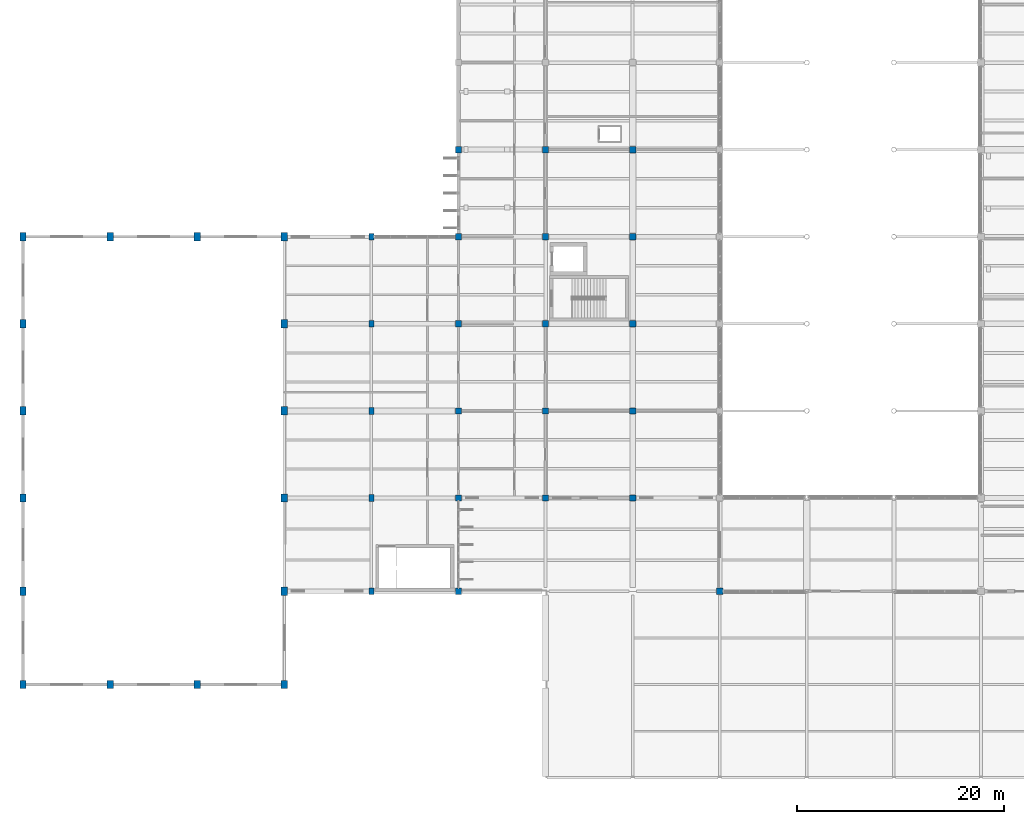
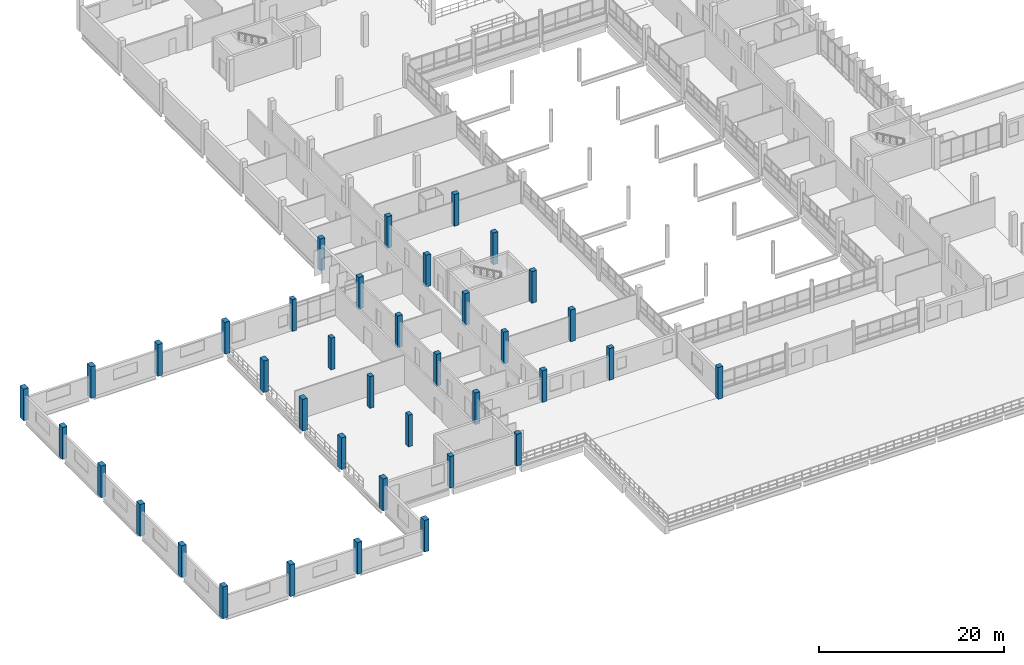
# One storey, part 1 of 101: 38 columns.
"""IFC4 building model written with IfcOpenShell, lengths in metres."""

from ifc_helpers import new_model, si_unit, direction, frame, origin, origin_2d, place, context, subcontext, project, spatial, rectangle, extrude, material, material_profile, profile_set, type_object, element, save


model = new_model("IFC4")

# Units and contexts
model_context = context("Model", 3, precision=1e-05, world=origin(), true_north=direction((0.0, 1.0)))
body_context = subcontext(model_context, "Body", "Model", "MODEL_VIEW")
ifc_project = project(units=[si_unit("LENGTHUNIT", "METRE"), si_unit("AREAUNIT", "SQUARE_METRE"), si_unit("VOLUMEUNIT", "CUBIC_METRE"), si_unit("PLANEANGLEUNIT", "RADIAN"), si_unit("MASSUNIT", "GRAM", prefix="KILO")], contexts=[model_context])

# Site, building, storey
site_placement = place(None, origin())
site = spatial("IfcSite", under=ifc_project, at=site_placement, CompositionType="ELEMENT")
building_placement = place(site_placement, origin())
building = spatial("IfcBuilding", under=site, at=building_placement, Name="Vireocrest Preparatory School", CompositionType="ELEMENT")
storey_placement = place(building_placement, frame((0.0, 0.0, 4.800048828125)))
storey = spatial("IfcBuildingStorey", under=building, at=storey_placement, Name="L01", CompositionType="ELEMENT", Elevation=4.800048828125)

# Columns
ifc_material = material(Name="Concrete 45 MPa", Category="concrete")
ifc_material_profile_1 = material_profile(ifc_material, rectangle(XDim=0.60009765625, YDim=0.60009765625, at=origin_2d()), Name="RC 600x600")
ifc_profile_set_1 = profile_set([ifc_material_profile_1], Name="Concrete 45 MPa")
column_type_1 = type_object("IfcColumnType", Name="RC Column 600x600", PredefinedType="COLUMN", material=ifc_profile_set_1)
for number, where, z_axis, x_axis, name in (
    (1, (42.0, 18.0, 0.0), (0.0, 0.0, 1.0), (1.0, 0.0, 0.0), "Column C05 L01 6/C"),
    (2, (42.0, 27.0, 0.0), (0.0, 0.0, 1.0), (1.0, 0.0, 0.0), "Column C05 L01 6/D"),
    (3, (42.0, 35.39990234375, 0.0), (0.0, 0.0, 1.0), (1.0, 0.0, 0.0), "Column C05 L01 6/E"),
    (4, (42.0, 43.800048828125, 0.0), (0.0, 0.0, 1.0), (1.0, 0.0, 0.0), "Column C05 L01 6/F"),
    (5, (42.0, 52.199951171875, 0.0), (0.0, 0.0, 1.0), (1.0, 0.0, 0.0), "Column C05 L01 6/G"),
    (6, (42.0, 60.60009765625, 0.0), (0.0, 0.0, 1.0), (1.0, 0.0, 0.0), "Column C05 L01 6/H"),
    (7, (50.39990234375, 27.0, 0.0), (0.0, 0.0, 1.0), (1.0, 0.0, 0.0), "Column C05 L01 7/D"),
    (8, (50.39990234375, 35.39990234375, 0.0), (0.0, 0.0, 1.0), (1.0, 0.0, 0.0), "Column C05 L01 7/E"),
    (9, (50.39990234375, 43.800048828125, 0.0), (0.0, 0.0, 1.0), (1.0, 0.0, 0.0), "Column C05 L01 7/F"),
    (10, (50.39990234375, 52.199951171875, 0.0), (0.0, 0.0, 1.0), (1.0, 0.0, 0.0), "Column C05 L01 7/G"),
    (11, (50.39990234375, 60.60009765625, 0.0), (0.0, 0.0, 1.0), (1.0, 0.0, 0.0), "Column C05 L01 7/H"),
    (12, (58.800048828125, 27.0, 0.0), (0.0, 0.0, 1.0), (1.0, 0.0, 0.0), "Column C05 L01 8/D"),
    (13, (58.800048828125, 35.39990234375, 0.0), (0.0, 0.0, 1.0), (1.0, 0.0, 0.0), "Column C05 L01 8/E"),
    (14, (58.800048828125, 43.800048828125, 0.0), (0.0, 0.0, 1.0), (1.0, 0.0, 0.0), "Column C05 L01 8/F"),
    (15, (58.800048828125, 52.199951171875, 0.0), (0.0, 0.0, 1.0), (1.0, 0.0, 0.0), "Column C05 L01 8/G"),
    (16, (58.800048828125, 60.60009765625, 0.0), (0.0, 0.0, 1.0), (1.0, 0.0, 0.0), "Column C05 L01 8/H"),
    (17, (67.199951171875, 18.0, 0.0), (0.0, 0.0, 1.0), (1.0, 0.0, 0.0), "Column C05 L01 9/C"),
):
    element("IfcColumn", number, at=place(storey_placement, frame(where, z_axis=z_axis, x_axis=x_axis)), inside=storey, type_object=column_type_1, Name=name, PredefinedType="COLUMN", context=body_context, shape_type="SweptSolid", body=[
        extrude(rectangle(XDim=0.60009765625, YDim=0.60009765625, at=origin_2d()), origin(), (0.0, 0.0, 1.0), 4.199951171875),
    ])
ifc_material_profile_2 = material_profile(ifc_material, rectangle(XDim=0.5, YDim=0.64990234375, at=origin_2d()), Name="RC 500x650")
ifc_profile_set_2 = profile_set([ifc_material_profile_2], Name="Concrete 45 MPa")
column_type_2 = type_object("IfcColumnType", Name="RC Hall Column 500x650", PredefinedType="COLUMN", material=ifc_profile_set_2)
for number, where, z_axis, x_axis, name in (
    (18, (33.60009765625, 18.0, 0.0), (0.0, 0.0, 1.0), (1.0, 0.0, 0.0), "Column C11 L01 5/C"),
    (19, (33.60009765625, 27.0, 0.0), (0.0, 0.0, 1.0), (1.0, 0.0, 0.0), "Column C11 L01 5/D"),
    (20, (33.60009765625, 35.39990234375, 0.0), (0.0, 0.0, 1.0), (1.0, 0.0, 0.0), "Column C11 L01 5/E"),
    (21, (33.60009765625, 43.800048828125, 0.0), (0.0, 0.0, 1.0), (1.0, 0.0, 0.0), "Column C11 L01 5/F"),
    (22, (33.60009765625, 52.199951171875, 0.0), (0.0, 0.0, 1.0), (1.0, 0.0, 0.0), "Column C11 L01 5/G"),
):
    element("IfcColumn", number, at=place(storey_placement, frame(where, z_axis=z_axis, x_axis=x_axis)), inside=storey, type_object=column_type_2, Name=name, PredefinedType="COLUMN", context=body_context, shape_type="SweptSolid", body=[
        extrude(rectangle(XDim=0.5, YDim=0.64990234375, at=origin_2d()), origin(), (0.0, 0.0, 1.0), 4.199951171875),
    ])
ifc_material_profile_3 = material_profile(ifc_material, rectangle(XDim=0.60009765625, YDim=0.800048828125, at=origin_2d()), Name="RC 600x800")
ifc_profile_set_3 = profile_set([ifc_material_profile_3], Name="Concrete 45 MPa")
column_type_3 = type_object("IfcColumnType", Name="RC Vault Pier 600x800", PredefinedType="COLUMN", material=ifc_profile_set_3)
for number, where, z_axis, x_axis, name in (
    (23, (0.0, 9.0, 0.0), (0.0, 0.0, 1.0), (1.0, 0.0, 0.0), "Column C14 L01 1/B"),
    (24, (0.0, 18.0, 0.0), (0.0, 0.0, 1.0), (1.0, 0.0, 0.0), "Column C14 L01 1/C"),
    (25, (0.0, 27.0, 0.0), (0.0, 0.0, 1.0), (1.0, 0.0, 0.0), "Column C14 L01 1/D"),
    (26, (0.0, 35.39990234375, 0.0), (0.0, 0.0, 1.0), (1.0, 0.0, 0.0), "Column C14 L01 1/E"),
    (27, (0.0, 43.800048828125, 0.0), (0.0, 0.0, 1.0), (1.0, 0.0, 0.0), "Column C14 L01 1/F"),
    (28, (0.0, 52.199951171875, 0.0), (0.0, 0.0, 1.0), (1.0, 0.0, 0.0), "Column C14 L01 1/G"),
    (29, (8.39990234375, 9.0, 0.0), (0.0, 0.0, 1.0), (1.0, 0.0, 0.0), "Column C14 L01 2/B"),
    (30, (8.39990234375, 52.199951171875, 0.0), (0.0, 0.0, 1.0), (1.0, 0.0, 0.0), "Column C14 L01 2/G"),
    (31, (16.800048828125, 9.0, 0.0), (0.0, 0.0, 1.0), (1.0, 0.0, 0.0), "Column C14 L01 3/B"),
    (32, (16.800048828125, 52.199951171875, 0.0), (0.0, 0.0, 1.0), (1.0, 0.0, 0.0), "Column C14 L01 3/G"),
    (33, (25.199951171875, 9.0, 0.0), (0.0, 0.0, 1.0), (1.0, 0.0, 0.0), "Column C14 L01 4/B"),
    (34, (25.199951171875, 18.0, 0.0), (0.0, 0.0, 1.0), (1.0, 0.0, 0.0), "Column C14 L01 4/C"),
    (35, (25.199951171875, 27.0, 0.0), (0.0, 0.0, 1.0), (1.0, 0.0, 0.0), "Column C14 L01 4/D"),
    (36, (25.199951171875, 35.39990234375, 0.0), (0.0, 0.0, 1.0), (1.0, 0.0, 0.0), "Column C14 L01 4/E"),
    (37, (25.199951171875, 43.800048828125, 0.0), (0.0, 0.0, 1.0), (1.0, 0.0, 0.0), "Column C14 L01 4/F"),
    (38, (25.199951171875, 52.199951171875, 0.0), (0.0, 0.0, 1.0), (1.0, 0.0, 0.0), "Column C14 L01 4/G"),
):
    element("IfcColumn", number, at=place(storey_placement, frame(where, z_axis=z_axis, x_axis=x_axis)), inside=storey, type_object=column_type_3, Name=name, PredefinedType="COLUMN", context=body_context, shape_type="SweptSolid", body=[
        extrude(rectangle(XDim=0.60009765625, YDim=0.800048828125, at=origin_2d()), origin(), (0.0, 0.0, 1.0), 4.199951171875),
    ])

save(model, "model.ifc")
